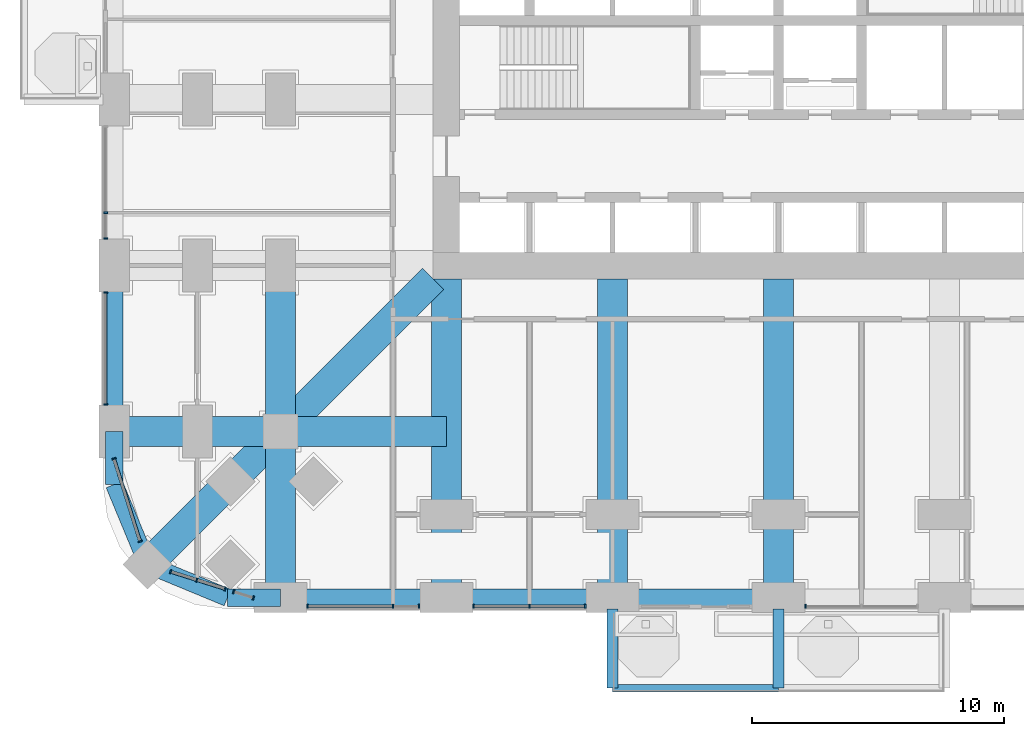
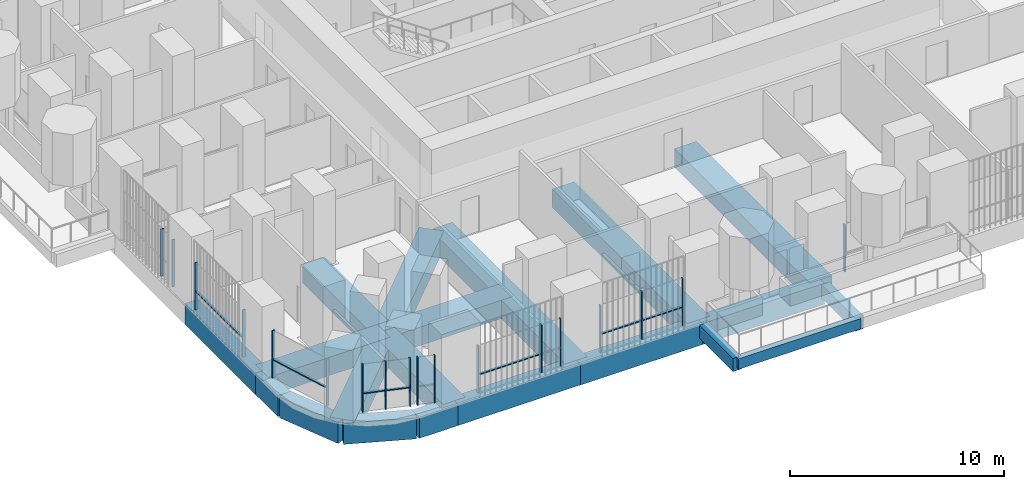
# One storey, part 2 of 26: 25 members, 20 beams, 8 elements without a shape of their own.
"""IFC4 building model written with IfcOpenShell, lengths in metres."""

from ifc_helpers import new_model, si_unit, direction, frame, origin, origin_2d, place, context, subcontext, project, spatial, rectangle, extrude, material, material_profile, profile_set, type_object, element, aggregate, save


model = new_model("IFC4")

# Units and contexts
model_context = context("Model", 3, precision=1e-05, world=origin(), true_north=direction((0.0, 1.0)))
body_context = subcontext(model_context, "Body", "Model", "MODEL_VIEW")
ifc_project = project(units=[si_unit("LENGTHUNIT", "METRE"), si_unit("AREAUNIT", "SQUARE_METRE"), si_unit("VOLUMEUNIT", "CUBIC_METRE"), si_unit("PLANEANGLEUNIT", "RADIAN"), si_unit("MASSUNIT", "GRAM", prefix="KILO")], contexts=[model_context])

# Site, building, storey
site_placement = place(None, origin())
site = spatial("IfcSite", under=ifc_project, at=site_placement, CompositionType="ELEMENT")
building_placement = place(site_placement, origin())
building = spatial("IfcBuilding", under=site, at=building_placement, Name="Cobogo Forest Laboratory Tower", CompositionType="ELEMENT")
storey_placement = place(building_placement, frame((0.0, 0.0, 42.300048828125)))
storey = spatial("IfcBuildingStorey", under=building, at=storey_placement, Name="L09", CompositionType="ELEMENT", Elevation=42.300048828125)

# Beams
ifc_material_1 = material(Name="Concrete HA-40 (C40/50)", Category="concrete")
ifc_material_profile_1 = material_profile(ifc_material_1, rectangle(XDim=0.449951171875, YDim=0.75, at=origin_2d()), Name="RC 450x750")
ifc_profile_set_1 = profile_set([ifc_material_profile_1], Name="Concrete HA-40 (C40/50)")
beam_type_1 = type_object("IfcBeamType", Name="Balcony cantilever beam 450x750", PredefinedType="BEAM", material=ifc_profile_set_1)
for number, where, z_axis, x_axis, name in (
    (1, (19.800048828125, -0.449951171875, -0.625), (0.0, -1.0, 0.0), (1.0, 0.0, 0.0), "CB1 BAL-S1-C1 L09"),
    (2, (26.39990234375, -0.449951171875, -0.625), (0.0, -1.0, 0.0), (1.0, 0.0, 0.0), "CB1 BAL-S1-C2 L09"),
):
    element("IfcBeam", number, at=place(storey_placement, frame(where, z_axis=z_axis, x_axis=x_axis)), inside=storey, type_object=beam_type_1, Name=name, PredefinedType="BEAM", context=body_context, shape_type="SweptSolid", body=[
        extrude(rectangle(XDim=0.449951171875, YDim=0.75, at=origin_2d()), origin(), (0.0, 0.0, 1.0), 3.150146484375),
    ])
ifc_material_profile_2 = material_profile(ifc_material_1, rectangle(XDim=0.300048828125, YDim=0.60009765625, at=origin_2d()), Name="RC 300x600")
ifc_profile_set_2 = profile_set([ifc_material_profile_2], Name="Concrete HA-40 (C40/50)")
beam_type_2 = type_object("IfcBeamType", Name="Balcony edge beam 300x600", PredefinedType="BEAM", material=ifc_profile_set_2)
beam_1_placement = place(storey_placement, frame((19.800048828125, -3.60009765625, -0.550048828125), z_axis=(1.0, 0.0, 0.0), x_axis=(0.0, 1.0, 0.0)))
element("IfcBeam", 3, at=beam_1_placement, inside=storey, type_object=beam_type_2, Name="BB1 BAL-S1-T1 L09", PredefinedType="BEAM", context=body_context, shape_type="SweptSolid", body=[
    extrude(rectangle(XDim=0.300048828125, YDim=0.60009765625, at=origin_2d()), origin(), (0.0, 0.0, 1.0), 6.599853515625),
])
ifc_material_profile_3 = material_profile(ifc_material_1, rectangle(XDim=1.199951171875, YDim=1.050048828125, at=origin_2d()), Name="RC 1200x1050")
ifc_profile_set_3 = profile_set([ifc_material_profile_3], Name="Concrete HA-40 (C40/50)")
beam_type_3 = type_object("IfcBeamType", Name="Laboratory floor wide beam 1200x1050", PredefinedType="BEAM", material=ifc_profile_set_3)
for number, where, z_axis, x_axis, name in (
    (4, (13.199951171875, 12.675048828125, -0.824951171875), (0.0, -1.0, 0.0), (1.0, 0.0, 0.0), "RB1 R-3-S L09"),
    (5, (19.800048828125, 12.675048828125, -0.824951171875), (0.0, -1.0, 0.0), (1.0, 0.0, 0.0), "RB1 R-4-S L09"),
    (6, (26.39990234375, 12.675048828125, -0.824951171875), (0.0, -1.0, 0.0), (1.0, 0.0, 0.0), "RB1 R-5-S L09"),
):
    element("IfcBeam", number, at=place(storey_placement, frame(where, z_axis=z_axis, x_axis=x_axis)), inside=storey, type_object=beam_type_3, Name=name, PredefinedType="BEAM", context=body_context, shape_type="SweptSolid", body=[
        extrude(rectangle(XDim=1.199951171875, YDim=1.050048828125, at=origin_2d()), origin(), (0.0, 0.0, 1.0), 12.675048828125),
    ])
beam_2_placement = place(storey_placement, frame((6.60009765625, 0.0, -0.824951171875), z_axis=(0.0, 1.0, 0.0), x_axis=(-1.0, 0.0, 0.0)))
element("IfcBeam", 7, at=beam_2_placement, inside=storey, type_object=beam_type_3, Name="RB1 G-SW-XF L09", PredefinedType="BEAM", context=body_context, shape_type="SweptSolid", body=[
    extrude(rectangle(XDim=1.199951171875, YDim=1.050048828125, at=origin_2d()), origin(), (0.0, 0.0, 1.0), 6.60009765625),
])
beam_3_placement = place(storey_placement, frame((6.60009765625, 6.60009765625, -0.824951171875), z_axis=(0.0, 1.0, 0.0), x_axis=(-1.0, 0.0, 0.0)))
element("IfcBeam", 8, at=beam_3_placement, inside=storey, type_object=beam_type_3, Name="RB1 G-SW-XC L09", PredefinedType="BEAM", context=body_context, shape_type="SweptSolid", body=[
    extrude(rectangle(XDim=1.199951171875, YDim=1.050048828125, at=origin_2d()), origin(), (0.0, 0.0, 1.0), 6.599853515625),
])
beam_4_placement = place(storey_placement, frame((0.0, 6.60009765625, -0.824951171875), z_axis=(1.0, 0.0, 0.0), x_axis=(0.0, 1.0, 0.0)))
element("IfcBeam", 9, at=beam_4_placement, inside=storey, type_object=beam_type_3, Name="RB1 G-SW-YF L09", PredefinedType="BEAM", context=body_context, shape_type="SweptSolid", body=[
    extrude(rectangle(XDim=1.199951171875, YDim=1.050048828125, at=origin_2d()), origin(), (0.0, 0.0, 1.0), 6.60009765625),
])
beam_5_placement = place(storey_placement, frame((6.60009765625, 6.60009765625, -0.824951171875), z_axis=(1.0, 0.0, 0.0), x_axis=(0.0, 1.0, 0.0)))
element("IfcBeam", 10, at=beam_5_placement, inside=storey, type_object=beam_type_3, Name="RB1 G-SW-YC L09", PredefinedType="BEAM", context=body_context, shape_type="SweptSolid", body=[
    extrude(rectangle(XDim=1.199951171875, YDim=1.050048828125, at=origin_2d()), origin(), (0.0, 0.0, 1.0), 6.599853515625),
])
beam_6_placement = place(storey_placement, frame((1.318115234375, 1.318115234375, -0.824951171875), z_axis=(0.707106781187, 0.707106781187, 0.0), x_axis=(-0.707106781187, 0.707106781187, 0.0)))
element("IfcBeam", 11, at=beam_6_placement, inside=storey, type_object=beam_type_3, Name="RB1 G-SW-D1 L09", PredefinedType="BEAM", context=body_context, shape_type="SweptSolid", body=[
    extrude(rectangle(XDim=1.199951171875, YDim=1.050048828125, at=origin_2d()), origin(), (0.0, 0.0, 1.0), 7.469970703125),
])
beam_7_placement = place(storey_placement, frame((6.60009765625, 6.60009765625, -0.824951171875), z_axis=(0.707106781187, 0.707106781187, 0.0), x_axis=(-0.707106781187, 0.707106781187, 0.0)))
element("IfcBeam", 12, at=beam_7_placement, inside=storey, type_object=beam_type_3, Name="RB1 G-SW-D2 L09", PredefinedType="BEAM", context=body_context, shape_type="SweptSolid", body=[
    extrude(rectangle(XDim=1.199951171875, YDim=1.050048828125, at=origin_2d()), origin(), (0.0, 0.0, 1.0), 8.59130859375),
])

# Curtain wall, members
ifc_material_2 = material(Name="Aluminium curtain wall", Category="aluminium")
curtain_wall_type = type_object("IfcCurtainWallType", Name="CW-1 unitised curtain wall, clear glazing, laboratory floors zones A and B", PredefinedType="USERDEFINED", material=ifc_material_2)
curtain_wall_1_placement = place(storey_placement, origin())
curtain_wall_1 = element("IfcCurtainWall", 13, at=curtain_wall_1_placement, inside=storey, type_object=curtain_wall_type, Name="Curtain wall 01 L09", ObjectType="UNITISED CURTAIN WALL", PredefinedType="USERDEFINED")
ifc_material_3 = material(Name="Aluminium mullion", Category="aluminium")
ifc_material_profile_4 = material_profile(ifc_material_3, rectangle(XDim=0.06005859375, YDim=0.159912109375, at=origin_2d()), Name="AL 60x160")
ifc_profile_set_4 = profile_set([ifc_material_profile_4], Name="Aluminium mullion")
member_type_1 = type_object("IfcMemberType", Name="MU-1 aluminium mullion 60x160", PredefinedType="MULLION", material=ifc_profile_set_4)
member_1_placement = place(storey_placement, frame((7.679931640625, -0.35009765625, 0.0), z_axis=(0.0, 0.0, 1.0), x_axis=(1.0, 0.0, 0.0)))
member_1 = element("IfcMember", 14, at=member_1_placement, type_object=member_type_1, Name="CW-1 mullion 1", PredefinedType="MULLION", context=body_context, shape_type="SweptSolid", body=[
    extrude(rectangle(XDim=0.06005859375, YDim=0.159912109375, at=origin_2d()), origin(), (0.0, 0.0, 1.0), 2.699951171875),
])
member_2_placement = place(storey_placement, frame((11.074951171875, -0.35009765625, 0.0), z_axis=(0.0, 0.0, 1.0), x_axis=(1.0, 0.0, 0.0)))
member_2 = element("IfcMember", 15, at=member_2_placement, type_object=member_type_1, Name="CW-1 mullion 2", PredefinedType="MULLION", context=body_context, shape_type="SweptSolid", body=[
    extrude(rectangle(XDim=0.06005859375, YDim=0.159912109375, at=origin_2d()), origin(), (0.0, 0.0, 1.0), 2.699951171875),
])
member_3_placement = place(storey_placement, frame((12.1201171875, -0.35009765625, 0.0), z_axis=(0.0, 0.0, 1.0), x_axis=(1.0, 0.0, 0.0)))
member_3 = element("IfcMember", 16, at=member_3_placement, type_object=member_type_1, Name="CW-1 mullion 3", PredefinedType="MULLION", context=body_context, shape_type="SweptSolid", body=[
    extrude(rectangle(XDim=0.06005859375, YDim=0.159912109375, at=origin_2d()), origin(), (0.0, 0.0, 1.0), 2.699951171875),
])

curtain_wall_2_placement = place(storey_placement, origin())
curtain_wall_2 = element("IfcCurtainWall", 17, at=curtain_wall_2_placement, inside=storey, type_object=curtain_wall_type, Name="Curtain wall 02 L09", ObjectType="UNITISED CURTAIN WALL", PredefinedType="USERDEFINED")
member_4_placement = place(storey_placement, frame((14.280029296875, -0.35009765625, 0.0), z_axis=(0.0, 0.0, 1.0), x_axis=(1.0, 0.0, 0.0)))
member_4 = element("IfcMember", 18, at=member_4_placement, type_object=member_type_1, Name="CW-1 mullion 1", PredefinedType="MULLION", context=body_context, shape_type="SweptSolid", body=[
    extrude(rectangle(XDim=0.06005859375, YDim=0.159912109375, at=origin_2d()), origin(), (0.0, 0.0, 1.0), 2.699951171875),
])
member_5_placement = place(storey_placement, frame((16.5, -0.35009765625, 0.0), z_axis=(0.0, 0.0, 1.0), x_axis=(1.0, 0.0, 0.0)))
member_5 = element("IfcMember", 19, at=member_5_placement, type_object=member_type_1, Name="CW-1 mullion 2", PredefinedType="MULLION", context=body_context, shape_type="SweptSolid", body=[
    extrude(rectangle(XDim=0.06005859375, YDim=0.159912109375, at=origin_2d()), origin(), (0.0, 0.0, 1.0), 2.699951171875),
])
member_6_placement = place(storey_placement, frame((18.719970703125, -0.35009765625, 0.0), z_axis=(0.0, 0.0, 1.0), x_axis=(1.0, 0.0, 0.0)))
member_6 = element("IfcMember", 20, at=member_6_placement, type_object=member_type_1, Name="CW-1 mullion 3", PredefinedType="MULLION", context=body_context, shape_type="SweptSolid", body=[
    extrude(rectangle(XDim=0.06005859375, YDim=0.159912109375, at=origin_2d()), origin(), (0.0, 0.0, 1.0), 2.699951171875),
])

# Curtain wall, member
curtain_wall_3_placement = place(storey_placement, origin())
curtain_wall_3 = element("IfcCurtainWall", 21, at=curtain_wall_3_placement, inside=storey, type_object=curtain_wall_type, Name="Curtain wall 04 L09", ObjectType="UNITISED CURTAIN WALL", PredefinedType="USERDEFINED")
member_7_placement = place(storey_placement, frame((27.47998046875, -0.35009765625, 0.0), z_axis=(0.0, 0.0, 1.0), x_axis=(1.0, 0.0, 0.0)))
member_7 = element("IfcMember", 22, at=member_7_placement, type_object=member_type_1, Name="CW-1 mullion 1", PredefinedType="MULLION", context=body_context, shape_type="SweptSolid", body=[
    extrude(rectangle(XDim=0.06005859375, YDim=0.159912109375, at=origin_2d()), origin(), (0.0, 0.0, 1.0), 2.699951171875),
])
aggregate(curtain_wall_3, [member_7])

# Curtain wall, members
curtain_wall_4_placement = place(storey_placement, origin())
curtain_wall_4 = element("IfcCurtainWall", 23, at=curtain_wall_4_placement, inside=storey, type_object=curtain_wall_type, Name="Curtain wall 30 L09", ObjectType="UNITISED CURTAIN WALL", PredefinedType="USERDEFINED")
member_8_placement = place(storey_placement, frame((-0.35009765625, 15.300048828125, 0.0), z_axis=(0.0, 0.0, 1.0), x_axis=(0.0, -1.0, 0.0)))
member_8 = element("IfcMember", 24, at=member_8_placement, type_object=member_type_1, Name="CW-1 mullion 2", PredefinedType="MULLION", context=body_context, shape_type="SweptSolid", body=[
    extrude(rectangle(XDim=0.06005859375, YDim=0.159912109375, at=origin_2d()), origin(), (0.0, 0.0, 1.0), 2.699951171875),
])
member_9_placement = place(storey_placement, frame((-0.35009765625, 14.280029296875, 0.0), z_axis=(0.0, 0.0, 1.0), x_axis=(0.0, -1.0, 0.0)))
member_9 = element("IfcMember", 25, at=member_9_placement, type_object=member_type_1, Name="CW-1 mullion 3", PredefinedType="MULLION", context=body_context, shape_type="SweptSolid", body=[
    extrude(rectangle(XDim=0.06005859375, YDim=0.159912109375, at=origin_2d()), origin(), (0.0, 0.0, 1.0), 2.699951171875),
])
aggregate(curtain_wall_4, [member_8, member_9])

curtain_wall_5_placement = place(storey_placement, origin())
curtain_wall_5 = element("IfcCurtainWall", 26, at=curtain_wall_5_placement, inside=storey, type_object=curtain_wall_type, Name="Curtain wall 31 L09", ObjectType="UNITISED CURTAIN WALL", PredefinedType="USERDEFINED")
member_10_placement = place(storey_placement, frame((-0.35009765625, 12.1201171875, 0.0), z_axis=(0.0, 0.0, 1.0), x_axis=(0.0, -1.0, 0.0)))
member_10 = element("IfcMember", 27, at=member_10_placement, type_object=member_type_1, Name="CW-1 mullion 1", PredefinedType="MULLION", context=body_context, shape_type="SweptSolid", body=[
    extrude(rectangle(XDim=0.06005859375, YDim=0.159912109375, at=origin_2d()), origin(), (0.0, 0.0, 1.0), 2.699951171875),
])
member_11_placement = place(storey_placement, frame((-0.35009765625, 7.679931640625, 0.0), z_axis=(0.0, 0.0, 1.0), x_axis=(0.0, -1.0, 0.0)))
member_11 = element("IfcMember", 28, at=member_11_placement, type_object=member_type_1, Name="CW-1 mullion 2", PredefinedType="MULLION", context=body_context, shape_type="SweptSolid", body=[
    extrude(rectangle(XDim=0.06005859375, YDim=0.159912109375, at=origin_2d()), origin(), (0.0, 0.0, 1.0), 2.699951171875),
])

curtain_wall_6_placement = place(storey_placement, origin())
curtain_wall_6 = element("IfcCurtainWall", 29, at=curtain_wall_6_placement, inside=storey, type_object=curtain_wall_type, Name="Curtain wall 32 L09", ObjectType="UNITISED CURTAIN WALL", PredefinedType="USERDEFINED")
member_12_placement = place(storey_placement, frame((-0.00927734375, 5.521484375, 0.0), z_axis=(0.0, 0.0, 1.0), x_axis=(0.30113535792, -0.95358140513, 0.0)))
member_12 = element("IfcMember", 30, at=member_12_placement, type_object=member_type_1, Name="CW-1 mullion 1", PredefinedType="MULLION", context=body_context, shape_type="SweptSolid", body=[
    extrude(rectangle(XDim=0.06005859375, YDim=0.159912109375, at=origin_2d()), origin(), (0.0, 0.0, 1.0), 2.699951171875),
])
member_13_placement = place(storey_placement, frame((1.02734375, 2.23876953125, 0.0), z_axis=(0.0, 0.0, 1.0), x_axis=(0.30113535792, -0.95358140513, 0.0)))
member_13 = element("IfcMember", 31, at=member_13_placement, type_object=member_type_1, Name="CW-1 mullion 2", PredefinedType="MULLION", context=body_context, shape_type="SweptSolid", body=[
    extrude(rectangle(XDim=0.06005859375, YDim=0.159912109375, at=origin_2d()), origin(), (0.0, 0.0, 1.0), 2.699951171875),
])

curtain_wall_7_placement = place(storey_placement, origin())
curtain_wall_7 = element("IfcCurtainWall", 32, at=curtain_wall_7_placement, inside=storey, type_object=curtain_wall_type, Name="Curtain wall 33 L09", ObjectType="UNITISED CURTAIN WALL", PredefinedType="USERDEFINED")
member_14_placement = place(storey_placement, frame((2.23876953125, 1.02734375, 0.0), z_axis=(0.0, 0.0, 1.0), x_axis=(0.953581409645, -0.301135343623, 0.0)))
member_14 = element("IfcMember", 33, at=member_14_placement, type_object=member_type_1, Name="CW-1 mullion 1", PredefinedType="MULLION", context=body_context, shape_type="SweptSolid", body=[
    extrude(rectangle(XDim=0.06005859375, YDim=0.159912109375, at=origin_2d()), origin(), (0.0, 0.0, 1.0), 2.699951171875),
])
member_15_placement = place(storey_placement, frame((3.27587890625, 0.69970703125, 0.0), z_axis=(0.0, 0.0, 1.0), x_axis=(0.953581409645, -0.301135343623, 0.0)))
member_15 = element("IfcMember", 34, at=member_15_placement, type_object=member_type_1, Name="CW-1 mullion 2", PredefinedType="MULLION", context=body_context, shape_type="SweptSolid", body=[
    extrude(rectangle(XDim=0.06005859375, YDim=0.159912109375, at=origin_2d()), origin(), (0.0, 0.0, 1.0), 2.699951171875),
])
member_16_placement = place(storey_placement, frame((4.39697265625, 0.345703125, 0.0), z_axis=(0.0, 0.0, 1.0), x_axis=(0.953581409645, -0.301135343623, 0.0)))
member_16 = element("IfcMember", 35, at=member_16_placement, type_object=member_type_1, Name="CW-1 mullion 3", PredefinedType="MULLION", context=body_context, shape_type="SweptSolid", body=[
    extrude(rectangle(XDim=0.06005859375, YDim=0.159912109375, at=origin_2d()), origin(), (0.0, 0.0, 1.0), 2.699951171875),
])

curtain_wall_8_placement = place(storey_placement, origin())
curtain_wall_8 = element("IfcCurtainWall", 36, at=curtain_wall_8_placement, inside=storey, type_object=curtain_wall_type, Name="Curtain wall 34 L09", ObjectType="UNITISED CURTAIN WALL", PredefinedType="USERDEFINED")
member_17_placement = place(storey_placement, frame((4.74658203125, 0.2353515625, 0.0), z_axis=(0.0, 0.0, 1.0), x_axis=(0.953581504428, -0.301135043481, 0.0)))
member_17 = element("IfcMember", 37, at=member_17_placement, type_object=member_type_1, Name="CW-1 mullion 1", PredefinedType="MULLION", context=body_context, shape_type="SweptSolid", body=[
    extrude(rectangle(XDim=0.06005859375, YDim=0.159912109375, at=origin_2d()), origin(), (0.0, 0.0, 1.0), 2.699951171875),
])
member_18_placement = place(storey_placement, frame((5.521484375, -0.00927734375, 0.0), z_axis=(0.0, 0.0, 1.0), x_axis=(0.953581504428, -0.301135043481, 0.0)))
member_18 = element("IfcMember", 38, at=member_18_placement, type_object=member_type_1, Name="CW-1 mullion 2", PredefinedType="MULLION", context=body_context, shape_type="SweptSolid", body=[
    extrude(rectangle(XDim=0.06005859375, YDim=0.159912109375, at=origin_2d()), origin(), (0.0, 0.0, 1.0), 2.699951171875),
])
aggregate(curtain_wall_8, [member_17, member_18])

# Beams
ifc_material_profile_5 = material_profile(ifc_material_1, rectangle(XDim=0.699951171875, YDim=1.199951171875, at=origin_2d()), Name="RC 700x1200")
ifc_profile_set_5 = profile_set([ifc_material_profile_5], Name="Concrete HA-40 (C40/50)")
beam_type_4 = type_object("IfcBeamType", Name="Perimeter edge beam 700x1200", PredefinedType="BEAM", material=ifc_profile_set_5)
beam_8_placement = place(storey_placement, frame((6.60009765625, 0.0, -0.900146484375), z_axis=(1.0, 0.0, 0.0), x_axis=(0.0, 1.0, 0.0)))
element("IfcBeam", 39, at=beam_8_placement, inside=storey, type_object=beam_type_4, Name="EB1 E-S1 L09", PredefinedType="BEAM", context=body_context, shape_type="SweptSolid", body=[
    extrude(rectangle(XDim=0.699951171875, YDim=1.199951171875, at=origin_2d()), origin(), (0.0, 0.0, 1.0), 6.599853515625),
])
beam_9_placement = place(storey_placement, frame((13.199951171875, 0.0, -0.900146484375), z_axis=(1.0, 0.0, 0.0), x_axis=(0.0, 1.0, 0.0)))
element("IfcBeam", 40, at=beam_9_placement, inside=storey, type_object=beam_type_4, Name="EB1 E-S2 L09", PredefinedType="BEAM", context=body_context, shape_type="SweptSolid", body=[
    extrude(rectangle(XDim=0.699951171875, YDim=1.199951171875, at=origin_2d()), origin(), (0.0, 0.0, 1.0), 6.60009765625),
])
for number, where, z_axis, x_axis, name in (
    (41, (19.800048828125, 0.0, -0.900146484375), (1.0, 0.0, 0.0), (0.0, 1.0, 0.0), "EB1 E-S3 L09"),
    (42, (0.0, 6.60009765625, -0.900146484375), (0.0, 1.0, 0.0), (-1.0, 0.0, 0.0), "EB1 E-W1 L09"),
):
    element("IfcBeam", number, at=place(storey_placement, frame(where, z_axis=z_axis, x_axis=x_axis)), inside=storey, type_object=beam_type_4, Name=name, PredefinedType="BEAM", context=body_context, shape_type="SweptSolid", body=[
        extrude(rectangle(XDim=0.699951171875, YDim=1.199951171875, at=origin_2d()), origin(), (0.0, 0.0, 1.0), 6.599853515625),
    ])
beam_10_placement = place(storey_placement, frame((6.60009765625, 0.0, -0.900146484375), z_axis=(-1.0, 0.0, 0.0), x_axis=(0.0, -1.0, 0.0)))
element("IfcBeam", 43, at=beam_10_placement, inside=storey, type_object=beam_type_4, Name="EB1 E-SWS1 L09", PredefinedType="BEAM", context=body_context, shape_type="SweptSolid", body=[
    extrude(rectangle(XDim=0.699951171875, YDim=1.199951171875, at=origin_2d()), origin(), (0.0, 0.0, 1.0), 2.10009765625),
])
beam_11_placement = place(storey_placement, frame((4.5, 0.0, -0.900146484375), z_axis=(-0.923865631356, 0.382716990999, 0.0), x_axis=(-0.382716990999, -0.923865631356, 0.0)))
element("IfcBeam", 44, at=beam_11_placement, inside=storey, type_object=beam_type_4, Name="EB1 E-SWS2 L09", PredefinedType="BEAM", context=body_context, shape_type="SweptSolid", body=[
    extrude(rectangle(XDim=0.699951171875, YDim=1.199951171875, at=origin_2d()), origin(), (0.0, 0.0, 1.0), 3.444091796875),
])
beam_12_placement = place(storey_placement, frame((0.0, 6.60009765625, -0.900146484375), z_axis=(0.0, -1.0, 0.0), x_axis=(1.0, 0.0, 0.0)))
element("IfcBeam", 45, at=beam_12_placement, inside=storey, type_object=beam_type_4, Name="EB1 E-SWW1 L09", PredefinedType="BEAM", context=body_context, shape_type="SweptSolid", body=[
    extrude(rectangle(XDim=0.699951171875, YDim=1.199951171875, at=origin_2d()), origin(), (0.0, 0.0, 1.0), 2.10009765625),
])
beam_13_placement = place(storey_placement, frame((0.0, 4.5, -0.900146484375), z_axis=(0.382716990999, -0.923865631356, 0.0), x_axis=(0.923865631356, 0.382716990999, 0.0)))
element("IfcBeam", 46, at=beam_13_placement, inside=storey, type_object=beam_type_4, Name="EB1 E-SWW2 L09", PredefinedType="BEAM", context=body_context, shape_type="SweptSolid", body=[
    extrude(rectangle(XDim=0.699951171875, YDim=1.199951171875, at=origin_2d()), origin(), (0.0, 0.0, 1.0), 3.444091796875),
])

# Member
ifc_material_4 = material(Name="Aluminium transom", Category="aluminium")
ifc_material_profile_6 = material_profile(ifc_material_4, rectangle(XDim=0.1201171875, YDim=0.06005859375, at=origin_2d()), Name="AL 60x120")
ifc_profile_set_6 = profile_set([ifc_material_profile_6], Name="Aluminium transom")
member_type_2 = type_object("IfcMemberType", Name="TR-1 aluminium transom 60x120", PredefinedType="USERDEFINED", material=ifc_profile_set_6)
member_19_placement = place(storey_placement, frame((7.7099609375, -0.35009765625, 1.050048828125), z_axis=(1.0, 0.0, 0.0), x_axis=(0.0, 1.0, 0.0)))
member_19 = element("IfcMember", 47, at=member_19_placement, type_object=member_type_2, Name="CW-1 transom 1.1", ObjectType="TRANSOM", PredefinedType="USERDEFINED", context=body_context, shape_type="SweptSolid", body=[
    extrude(rectangle(XDim=0.1201171875, YDim=0.06005859375, at=origin_2d()), origin(), (0.0, 0.0, 1.0), 3.3349609375),
])

aggregate(curtain_wall_1, [member_1, member_2, member_3, member_19])

member_20_placement = place(storey_placement, frame((14.31005859375, -0.35009765625, 1.050048828125), z_axis=(1.0, 0.0, 0.0), x_axis=(0.0, 1.0, 0.0)))
member_20 = element("IfcMember", 48, at=member_20_placement, type_object=member_type_2, Name="CW-1 transom 1.1", ObjectType="TRANSOM", PredefinedType="USERDEFINED", context=body_context, shape_type="SweptSolid", body=[
    extrude(rectangle(XDim=0.1201171875, YDim=0.06005859375, at=origin_2d()), origin(), (0.0, 0.0, 1.0), 2.159912109375),
])

member_21_placement = place(storey_placement, frame((16.530029296875, -0.35009765625, 1.050048828125), z_axis=(1.0, 0.0, 0.0), x_axis=(0.0, 1.0, 0.0)))
member_21 = element("IfcMember", 49, at=member_21_placement, type_object=member_type_2, Name="CW-1 transom 2.1", ObjectType="TRANSOM", PredefinedType="USERDEFINED", context=body_context, shape_type="SweptSolid", body=[
    extrude(rectangle(XDim=0.1201171875, YDim=0.06005859375, at=origin_2d()), origin(), (0.0, 0.0, 1.0), 2.159912109375),
])

aggregate(curtain_wall_2, [member_4, member_5, member_6, member_20, member_21])

member_22_placement = place(storey_placement, frame((-0.35009765625, 12.090087890625, 1.050048828125), z_axis=(0.0, -1.0, 0.0), x_axis=(1.0, 0.0, 0.0)))
member_22 = element("IfcMember", 50, at=member_22_placement, type_object=member_type_2, Name="CW-1 transom 1.1", ObjectType="TRANSOM", PredefinedType="USERDEFINED", context=body_context, shape_type="SweptSolid", body=[
    extrude(rectangle(XDim=0.1201171875, YDim=0.06005859375, at=origin_2d()), origin(), (0.0, 0.0, 1.0), 4.380126953125),
])

aggregate(curtain_wall_5, [member_10, member_11, member_22])

member_23_placement = place(storey_placement, frame((-0.000244140625, 5.49267578125, 1.050048828125), z_axis=(0.301138276922, -0.953580483322, 0.0), x_axis=(0.953580483322, 0.301138276922, 0.0)))
member_23 = element("IfcMember", 51, at=member_23_placement, type_object=member_type_2, Name="CW-1 transom 1.1", ObjectType="TRANSOM", PredefinedType="USERDEFINED", context=body_context, shape_type="SweptSolid", body=[
    extrude(rectangle(XDim=0.1201171875, YDim=0.06005859375, at=origin_2d()), origin(), (0.0, 0.0, 1.0), 3.38232421875),
])

aggregate(curtain_wall_6, [member_12, member_13, member_23])

member_24_placement = place(storey_placement, frame((2.267333984375, 1.018310546875, 1.050048828125), z_axis=(0.953553938535, -0.301222320394, 0.0), x_axis=(0.301222320394, 0.953553938535, 0.0)))
member_24 = element("IfcMember", 52, at=member_24_placement, type_object=member_type_2, Name="CW-1 transom 1.1", ObjectType="TRANSOM", PredefinedType="USERDEFINED", context=body_context, shape_type="SweptSolid", body=[
    extrude(rectangle(XDim=0.1201171875, YDim=0.06005859375, at=origin_2d()), origin(), (0.0, 0.0, 1.0), 1.02783203125),
])

member_25_placement = place(storey_placement, frame((3.304443359375, 0.690673828125, 1.050048828125), z_axis=(0.953595892327, -0.301089478624, 0.0), x_axis=(0.301089478624, 0.953595892327, 0.0)))
member_25 = element("IfcMember", 53, at=member_25_placement, type_object=member_type_2, Name="CW-1 transom 2.1", ObjectType="TRANSOM", PredefinedType="USERDEFINED", context=body_context, shape_type="SweptSolid", body=[
    extrude(rectangle(XDim=0.1201171875, YDim=0.06005859375, at=origin_2d()), origin(), (0.0, 0.0, 1.0), 1.11572265625),
])

aggregate(curtain_wall_7, [member_14, member_15, member_16, member_24, member_25])

save(model, "model.ifc")
